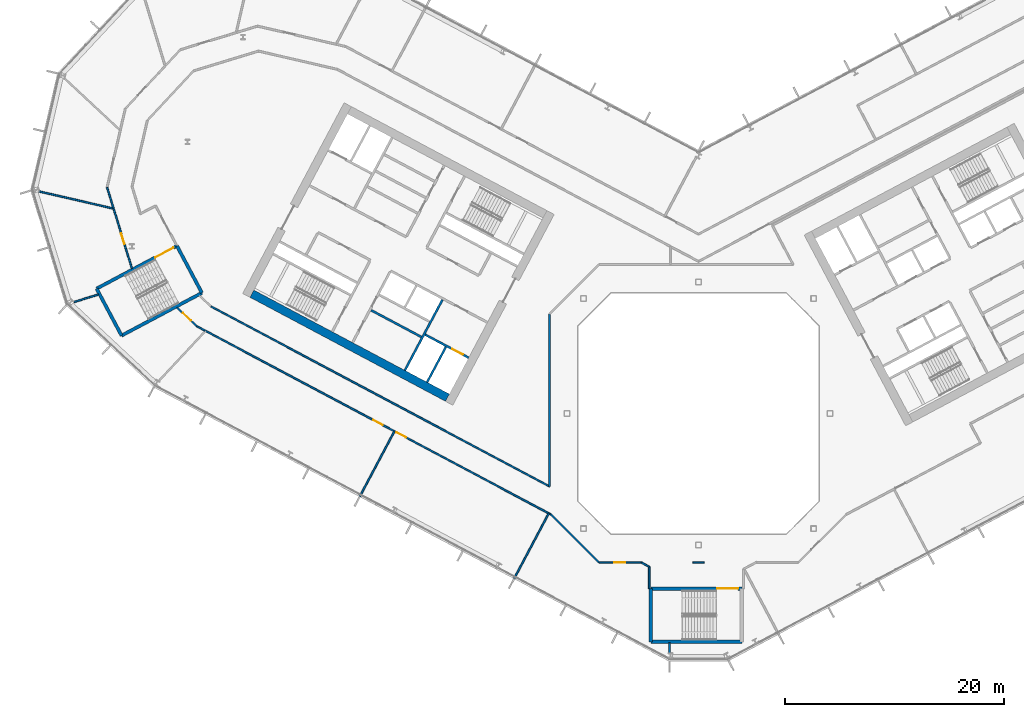
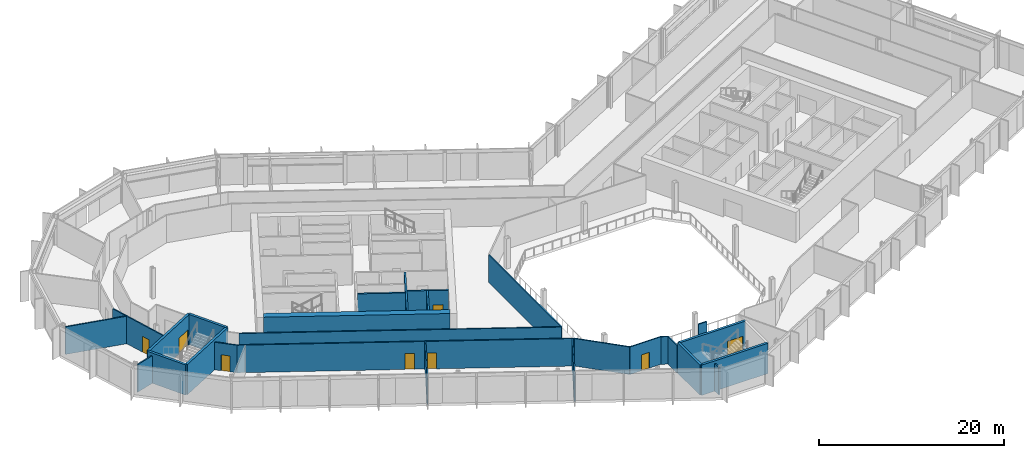
# One storey, part 13 of 28: 29 walls, 8 doors, 8 openings.
"""IFC4 building model written with IfcOpenShell, lengths in metres."""

from ifc_helpers import new_model, si_unit, direction, frame, frame_2d, origin, place, context, subcontext, project, spatial, rectangle, extrude, material, layer, layer_set, type_object, element, fill, save


model = new_model("IFC4")

# Units and contexts
model_context = context("Model", 3, precision=1e-05, world=origin(), true_north=direction((0.0, 1.0)))
body_context = subcontext(model_context, "Body", "Model", "MODEL_VIEW")
ifc_project = project(units=[si_unit("LENGTHUNIT", "METRE"), si_unit("AREAUNIT", "SQUARE_METRE"), si_unit("VOLUMEUNIT", "CUBIC_METRE"), si_unit("PLANEANGLEUNIT", "RADIAN"), si_unit("MASSUNIT", "GRAM", prefix="KILO")], contexts=[model_context])

# Site, building, storey
site_placement = place(None, origin())
site = spatial("IfcSite", under=ifc_project, at=site_placement, CompositionType="ELEMENT")
building_placement = place(site_placement, origin())
building = spatial("IfcBuilding", under=site, at=building_placement, Name="Cormorant Relay Tower", CompositionType="ELEMENT")
storey_placement = place(building_placement, frame((0.0, 0.0, 162.199951171875)))
storey = spatial("IfcBuildingStorey", under=building, at=storey_placement, Name="L34", CompositionType="ELEMENT", Elevation=162.199951171875)

# Walls
ifc_material_1 = material(Name="Concrete 40 MPa", Category="concrete")
ifc_layer_1 = layer(ifc_material_1, 0.199951171875)
ifc_layer_set_1 = layer_set([ifc_layer_1], Name="Core internal wall 200")
wall_type_1 = type_object("IfcWallType", Name="Core internal wall 200", PredefinedType="SOLIDWALL", material=ifc_layer_set_1)
wall_1_placement = place(storey_placement, frame((-25.279541015625, 6.985595703125, 0.0), z_axis=(0.0, 0.0, 1.0), x_axis=(-0.882934506056, 0.469496174655, 0.0)))
element("IfcWall", 1, at=wall_1_placement, inside=storey, type_object=wall_type_1, Name="L34 core A shaft and room wall", PredefinedType="SOLIDWALL", context=body_context, shape_type="SweptSolid", body=[
    extrude(rectangle(XDim=5.199951171875, YDim=0.199951171875, at=frame_2d((2.60009765625, 0.0))), origin(), (0.0, 0.0, 1.0), 4.0),
])
ifc_material_2 = material(Name="Concrete 50 MPa", Category="concrete")
ifc_layer_2 = layer(ifc_material_2, 0.199951171875)
ifc_layer_set_2 = layer_set([ifc_layer_2], Name="Core shaft wall 200")
wall_type_2 = type_object("IfcWallType", Name="Core shaft wall 200", PredefinedType="SHEAR", material=ifc_layer_set_2)
wall_2_placement = place(storey_placement, frame((-23.04296875, 6.07958984375, 0.0), z_axis=(0.0, 0.0, 1.0), x_axis=(-0.469494272526, -0.882935517501, 0.0)))
element("IfcWall", 2, at=wall_2_placement, inside=storey, type_object=wall_type_2, Name="L34 core A shaft wall", PredefinedType="SHEAR", context=body_context, shape_type="SweptSolid", body=[
    extrude(rectangle(XDim=3.64990234375, YDim=0.199951171875, at=frame_2d((1.824951171875, 0.0))), origin(), (0.0, 0.0, 1.0), 4.0),
])
wall_3_placement = place(storey_placement, frame((-23.360107421875, 10.38232421875, 0.0), z_axis=(0.0, 0.0, 1.0), x_axis=(-0.469480409012, -0.88294288918, 0.0)))
element("IfcWall", 3, at=wall_3_placement, inside=storey, type_object=wall_type_2, Name="L34 core A shaft wall", PredefinedType="SHEAR", context=body_context, shape_type="SweptSolid", body=[
    extrude(rectangle(XDim=7.300048828125, YDim=0.199951171875, at=frame_2d((3.64990234375, 0.0))), origin(), (0.0, 0.0, 1.0), 4.0),
])

# Wall, opening, door
wall_4_placement = place(storey_placement, frame((-20.96533203125, 5.088134765625, 0.0), z_axis=(0.0, 0.0, 1.0), x_axis=(-0.882925986334, 0.469512196493, 0.0)))
wall_4 = element("IfcWall", 4, at=wall_4_placement, inside=storey, type_object=wall_type_2, Name="L34 core A shaft wall", PredefinedType="SHEAR", context=body_context, shape_type="SweptSolid", body=[
    extrude(rectangle(XDim=4.5, YDim=0.199951171875, at=frame_2d((2.25, 0.0))), origin(), (0.0, 0.0, 1.0), 4.0),
])
opening_1_placement = place(wall_4_placement, frame((0.60009765625, 0.0, 0.0)))
opening_1 = element("IfcOpeningElement", 5, at=opening_1_placement, cuts=wall_4, Name="Opening LD1-043", PredefinedType="OPENING", context=body_context, shape_type="SweptSolid", body=[
    extrude(rectangle(XDim=1.10009765625, YDim=2.10009765625, at=frame_2d((0.550048828125, 1.050048828125))), frame((0.0, 0.10986328125, 0.0), z_axis=(0.0, -1.0, 0.0), x_axis=(1.0, 0.0, 0.0)), (0.0, 0.0, 1.0), 0.219970703125),
])
ifc_material_3 = material(Name="Stainless steel 316", Category="steel")
door_type_1 = type_object("IfcDoorType", Name="Lift landing door 1100x2100", OperationType="DOUBLE_DOOR_SLIDING", PredefinedType="DOOR", material=ifc_material_3)
door_1_placement = place(opening_1_placement, origin())
door_1 = element("IfcDoor", 6, at=door_1_placement, inside=storey, type_object=door_type_1, Name="FF1 landing door", OperationType="DOUBLE_DOOR_SLIDING", OverallHeight=2.10009765625, OverallWidth=1.10009765625, PredefinedType="DOOR", context=body_context, shape_type="SweptSolid", body=[
    extrude(rectangle(XDim=1.10009765625, YDim=2.10009765625, at=frame_2d((0.550048828125, 1.050048828125))), frame((0.0, 0.02490234375, 0.0), z_axis=(0.0, -1.0, 0.0), x_axis=(1.0, 0.0, 0.0)), (0.0, 0.0, 1.0), 0.050048828125),
])
fill(opening_1, door_1)

# Walls
ifc_material_4 = material(Name="Concrete 60 MPa", Category="concrete")
ifc_layer_3 = layer(ifc_material_4, 0.75)
ifc_layer_set_3 = layer_set([ifc_layer_3], Name="Core wall 750")
wall_type_3 = type_object("IfcWallType", Name="Core wall 750", PredefinedType="SHEAR", material=ifc_layer_set_3)
wall_5_placement = place(storey_placement, frame((-22.90185546875, 1.446044921875, 0.0), z_axis=(0.0, 0.0, 1.0), x_axis=(-0.88294509198, 0.469476266226, 0.0)))
element("IfcWall", 7, at=wall_5_placement, inside=storey, type_object=wall_type_3, Name="L34 core A wall", PredefinedType="SHEAR", context=body_context, shape_type="SweptSolid", body=[
    extrude(rectangle(XDim=20.199951171875, YDim=0.75, at=frame_2d((10.10009765625, 0.0))), origin(), (0.0, 0.0, 1.0), 4.0),
])
ifc_material_5 = material(Name="Gypsum board fire partition")
ifc_layer_4 = layer(ifc_material_5, 0.14990234375)
ifc_layer_set_4 = layer_set([ifc_layer_4], Name="Corridor partition 150 EI 60")
wall_type_4 = type_object("IfcWallType", Name="Corridor partition 150 EI 60", PredefinedType="PARTITIONING", material=ifc_layer_set_4)
wall_6_placement = place(storey_placement, frame((-53.943115234375, 20.6298828125, 0.0), z_axis=(0.0, 0.0, 1.0), x_axis=(0.292550297048, -0.956250136574, 0.0)))
element("IfcWall", 8, at=wall_6_placement, inside=storey, type_object=wall_type_4, Name="wall/L34/part/005", PredefinedType="PARTITIONING", context=body_context, shape_type="SweptSolid", body=[
    extrude(rectangle(XDim=2.000244140625, YDim=0.14990234375, at=frame_2d((1.0, 0.0))), origin(), (0.0, 0.0, 1.0), 3.64013671875),
])

# Wall, opening, door
wall_7_placement = place(storey_placement, frame((-51.677978515625, 13.221923828125, 0.0), z_axis=(0.0, 0.0, 1.0), x_axis=(-0.292356699481, 0.956309343397, 0.0)))
wall_7 = element("IfcWall", 9, at=wall_7_placement, inside=storey, type_object=wall_type_4, Name="wall/L34/part/006", PredefinedType="PARTITIONING", context=body_context, shape_type="SweptSolid", body=[
    extrude(rectangle(XDim=5.74609375, YDim=0.14990234375, at=frame_2d((2.873046875, 0.0))), origin(), (0.0, 0.0, 1.0), 3.64013671875),
])
opening_2_placement = place(wall_7_placement, frame((2.34912109375, 0.0, 0.0)))
opening_2 = element("IfcOpeningElement", 10, at=opening_2_placement, cuts=wall_7, Name="Opening DS-058", PredefinedType="OPENING", context=body_context, shape_type="SweptSolid", body=[
    extrude(rectangle(XDim=1.0, YDim=2.10009765625, at=frame_2d((0.5, 1.050048828125))), frame((0.0, 0.0849609375, 0.0), z_axis=(0.0, -1.0, 0.0), x_axis=(1.0, 0.0, 0.0)), (0.0, 0.0, 1.0), 0.169921875),
])
ifc_material_6 = material(Name="Timber door leaf", Category="wood")
door_type_2 = type_object("IfcDoorType", Name="Suite door 1000x2100", OperationType="SINGLE_SWING_LEFT", PredefinedType="DOOR", material=ifc_material_6)
door_2_placement = place(opening_2_placement, origin())
door_2 = element("IfcDoor", 11, at=door_2_placement, inside=storey, type_object=door_type_2, Name="door/L34/016", OperationType="SINGLE_SWING_LEFT", OverallHeight=2.10009765625, OverallWidth=1.0, PredefinedType="DOOR", context=body_context, shape_type="SweptSolid", body=[
    extrude(rectangle(XDim=1.0, YDim=2.10009765625, at=frame_2d((0.5, 1.050048828125))), frame((0.0, 0.02490234375, 0.0), z_axis=(0.0, -1.0, 0.0), x_axis=(1.0, 0.0, 0.0)), (0.0, 0.0, 1.0), 0.050048828125),
])
fill(opening_2, door_2)

# Wall
wall_8_placement = place(storey_placement, frame((-45.02001953125, 7.572021484375, 0.0), z_axis=(0.0, 0.0, 1.0), x_axis=(-0.88288015149, 0.46959837958, 0.0)))
element("IfcWall", 12, at=wall_8_placement, inside=storey, type_object=wall_type_4, Name="wall/L34/part/024", PredefinedType="PARTITIONING", context=body_context, shape_type="SweptSolid", body=[
    extrude(rectangle(XDim=0.832275390625, YDim=0.14990234375, at=frame_2d((0.416015625, 0.0))), origin(), (0.0, 0.0, 1.0), 3.64013671875),
])

# Wall, opening, door
wall_9_placement = place(storey_placement, frame((-45.7548828125, 7.962890625, 0.0), z_axis=(0.0, 0.0, 1.0), x_axis=(-0.731175081237, 0.682189856695, 0.0)))
wall_9 = element("IfcWall", 13, at=wall_9_placement, inside=storey, type_object=wall_type_4, Name="wall/L34/part/025", PredefinedType="PARTITIONING", context=body_context, shape_type="SweptSolid", body=[
    extrude(rectangle(XDim=2.5068359375, YDim=0.14990234375, at=frame_2d((1.25341796875, 0.0))), origin(), (0.0, 0.0, 1.0), 3.64013671875),
])
opening_3_placement = place(wall_9_placement, frame((0.75, 0.0, 0.0)))
opening_3 = element("IfcOpeningElement", 14, at=opening_3_placement, cuts=wall_9, Name="Opening DS-059", PredefinedType="OPENING", context=body_context, shape_type="SweptSolid", body=[
    extrude(rectangle(XDim=1.0, YDim=2.10009765625, at=frame_2d((0.5, 1.050048828125))), frame((0.0, 0.0849609375, 0.0), z_axis=(0.0, -1.0, 0.0), x_axis=(1.0, 0.0, 0.0)), (0.0, 0.0, 1.0), 0.169921875),
])
door_3_placement = place(opening_3_placement, origin())
door_3 = element("IfcDoor", 15, at=door_3_placement, inside=storey, type_object=door_type_2, Name="door/L34/017", OperationType="SINGLE_SWING_RIGHT", OverallHeight=2.10009765625, OverallWidth=1.0, PredefinedType="DOOR", context=body_context, shape_type="SweptSolid", body=[
    extrude(rectangle(XDim=1.0, YDim=2.10009765625, at=frame_2d((0.5, 1.050048828125))), frame((0.0, 0.02490234375, 0.0), z_axis=(0.0, -1.0, 0.0), x_axis=(1.0, 0.0, 0.0)), (0.0, 0.0, 1.0), 0.050048828125),
])
fill(opening_3, door_3)

# Walls
wall_10_placement = place(storey_placement, frame((-13.60009765625, 9.076904296875, 0.0), z_axis=(0.0, 0.0, 1.0), x_axis=(0.0, -1.0, 0.0)))
element("IfcWall", 16, at=wall_10_placement, inside=storey, type_object=wall_type_4, Name="wall/L34/part/028", PredefinedType="PARTITIONING", context=body_context, shape_type="SweptSolid", body=[
    extrude(rectangle(XDim=15.719970703125, YDim=0.14990234375, at=frame_2d((7.85986328125, 0.0))), origin(), (0.0, 0.0, 1.0), 3.64013671875),
])
wall_11_placement = place(storey_placement, frame((-13.60009765625, -6.64306640625, 0.0), z_axis=(0.0, 0.0, 1.0), x_axis=(-0.882949199944, 0.469468540287, 0.0)))
element("IfcWall", 17, at=wall_11_placement, inside=storey, type_object=wall_type_4, Name="wall/L34/part/029", PredefinedType="PARTITIONING", context=body_context, shape_type="SweptSolid", body=[
    extrude(rectangle(XDim=34.958984375, YDim=0.14990234375, at=frame_2d((17.4794921875, 0.0))), origin(), (0.0, 0.0, 1.0), 3.64013671875),
])

# Wall, openings, doors
wall_12_placement = place(storey_placement, frame((-13.47705078125, -9.199951171875, 0.0), z_axis=(0.0, 0.0, 1.0), x_axis=(-0.882944359403, 0.469477643981, 0.0)))
wall_12 = element("IfcWall", 18, at=wall_12_placement, inside=storey, type_object=wall_type_4, Name="wall/L34/part/031", PredefinedType="PARTITIONING", context=body_context, shape_type="SweptSolid", body=[
    extrude(rectangle(XDim=35.724853515625, YDim=0.14990234375, at=frame_2d((17.8623046875, 0.0))), origin(), (0.0, 0.0, 1.0), 3.64013671875),
])
opening_4_placement = place(wall_12_placement, frame((17.35009765625, 0.0, 0.0)))
opening_4 = element("IfcOpeningElement", 19, at=opening_4_placement, cuts=wall_12, Name="Opening DS-060", PredefinedType="OPENING", context=body_context, shape_type="SweptSolid", body=[
    extrude(rectangle(XDim=1.0, YDim=2.10009765625, at=frame_2d((0.5, 1.050048828125))), frame((0.0, 0.0849609375, 0.0), z_axis=(0.0, -1.0, 0.0), x_axis=(1.0, 0.0, 0.0)), (0.0, 0.0, 1.0), 0.169921875),
])
opening_5_placement = place(wall_12_placement, frame((14.948974609375, 0.0, 0.0)))
opening_5 = element("IfcOpeningElement", 20, at=opening_5_placement, cuts=wall_12, Name="Opening DS-061", PredefinedType="OPENING", context=body_context, shape_type="SweptSolid", body=[
    extrude(rectangle(XDim=1.0, YDim=2.10009765625, at=frame_2d((0.5, 1.050048828125))), frame((0.0, 0.0849609375, 0.0), z_axis=(0.0, -1.0, 0.0), x_axis=(1.0, 0.0, 0.0)), (0.0, 0.0, 1.0), 0.169921875),
])
door_4_placement = place(opening_4_placement, origin())
door_4 = element("IfcDoor", 21, at=door_4_placement, inside=storey, type_object=door_type_2, Name="door/L34/018", OperationType="SINGLE_SWING_LEFT", OverallHeight=2.10009765625, OverallWidth=1.0, PredefinedType="DOOR", context=body_context, shape_type="SweptSolid", body=[
    extrude(rectangle(XDim=1.0, YDim=2.10009765625, at=frame_2d((0.5, 1.050048828125))), frame((0.0, 0.02490234375, 0.0), z_axis=(0.0, -1.0, 0.0), x_axis=(1.0, 0.0, 0.0)), (0.0, 0.0, 1.0), 0.050048828125),
])
fill(opening_4, door_4)
door_5_placement = place(opening_5_placement, origin())
door_5 = element("IfcDoor", 22, at=door_5_placement, inside=storey, type_object=door_type_2, Name="door/L34/019", OperationType="SINGLE_SWING_RIGHT", OverallHeight=2.10009765625, OverallWidth=1.0, PredefinedType="DOOR", context=body_context, shape_type="SweptSolid", body=[
    extrude(rectangle(XDim=1.0, YDim=2.10009765625, at=frame_2d((0.5, 1.050048828125))), frame((0.0, 0.02490234375, 0.0), z_axis=(0.0, -1.0, 0.0), x_axis=(1.0, 0.0, 0.0)), (0.0, 0.0, 1.0), 0.050048828125),
])
fill(opening_5, door_5)

# Wall, opening, door
wall_13_placement = place(storey_placement, frame((-5.15087890625, -13.60009765625, 0.0), z_axis=(0.0, 0.0, 1.0), x_axis=(-1.0, 0.0, 0.0)))
wall_13 = element("IfcWall", 23, at=wall_13_placement, inside=storey, type_object=wall_type_4, Name="wall/L34/part/045", PredefinedType="PARTITIONING", context=body_context, shape_type="SweptSolid", body=[
    extrude(rectangle(XDim=3.926025390625, YDim=0.14990234375, at=frame_2d((1.962890625, 0.0))), origin(), (0.0, 0.0, 1.0), 3.64013671875),
])
opening_6_placement = place(wall_13_placement, frame((1.5390625, 0.0, 0.0)))
opening_6 = element("IfcOpeningElement", 24, at=opening_6_placement, cuts=wall_13, Name="Opening DS-062", PredefinedType="OPENING", context=body_context, shape_type="SweptSolid", body=[
    extrude(rectangle(XDim=1.0, YDim=2.10009765625, at=frame_2d((0.5, 1.050048828125))), frame((0.0, 0.0849609375, 0.0), z_axis=(0.0, -1.0, 0.0), x_axis=(1.0, 0.0, 0.0)), (0.0, 0.0, 1.0), 0.169921875),
])
door_6_placement = place(opening_6_placement, origin())
door_6 = element("IfcDoor", 25, at=door_6_placement, inside=storey, type_object=door_type_2, Name="door/L34/020", OperationType="SINGLE_SWING_LEFT", OverallHeight=2.10009765625, OverallWidth=1.0, PredefinedType="DOOR", context=body_context, shape_type="SweptSolid", body=[
    extrude(rectangle(XDim=1.0, YDim=2.10009765625, at=frame_2d((0.5, 1.050048828125))), frame((0.0, 0.02490234375, 0.0), z_axis=(0.0, -1.0, 0.0), x_axis=(1.0, 0.0, 0.0)), (0.0, 0.0, 1.0), 0.050048828125),
])
fill(opening_6, door_6)

# Walls
wall_14_placement = place(storey_placement, frame((-9.076904296875, -13.60009765625, 0.0), z_axis=(0.0, 0.0, 1.0), x_axis=(-0.707106781187, 0.707106781187, 0.0)))
element("IfcWall", 26, at=wall_14_placement, inside=storey, type_object=wall_type_4, Name="wall/L34/part/046", PredefinedType="PARTITIONING", context=body_context, shape_type="SweptSolid", body=[
    extrude(rectangle(XDim=6.22265625, YDim=0.14990234375, at=frame_2d((3.111328125, 0.0))), origin(), (0.0, 0.0, 1.0), 3.64013671875),
])
wall_15_placement = place(storey_placement, frame((-4.5, -13.972900390625, 0.0), z_axis=(0.0, 0.0, 1.0), x_axis=(-0.882888665287, 0.469582372655, 0.0)))
element("IfcWall", 27, at=wall_15_placement, inside=storey, type_object=wall_type_4, Name="wall/L34/part/047", PredefinedType="PARTITIONING", context=body_context, shape_type="SweptSolid", body=[
    extrude(rectangle(XDim=0.7939453125, YDim=0.14990234375, at=frame_2d((0.39697265625, 0.0))), origin(), (0.0, 0.0, 1.0), 3.64013671875),
])
wall_16_placement = place(storey_placement, frame((-4.5, -13.972900390625, 0.0), z_axis=(0.0, 0.0, 1.0), x_axis=(0.0, -1.0, 0.0)))
element("IfcWall", 28, at=wall_16_placement, inside=storey, type_object=wall_type_4, Name="wall/L34/part/048", PredefinedType="PARTITIONING", context=body_context, shape_type="SweptSolid", body=[
    extrude(rectangle(XDim=2.002197265625, YDim=0.14990234375, at=frame_2d((1.0009765625, 0.0))), origin(), (0.0, 0.0, 1.0), 3.64013671875),
])
wall_17_placement = place(storey_placement, frame((0.514892578125, -13.60009765625, 0.0), z_axis=(0.0, 0.0, 1.0), x_axis=(-1.0, 0.0, 0.0)))
element("IfcWall", 29, at=wall_17_placement, inside=storey, type_object=wall_type_4, Name="wall/L34/part/084", PredefinedType="PARTITIONING", context=body_context, shape_type="SweptSolid", body=[
    extrude(rectangle(XDim=1.02978515625, YDim=0.14990234375, at=frame_2d((0.514892578125, 0.0))), origin(), (0.0, 0.0, 1.0), 3.64013671875),
])
ifc_material_7 = material(Name="Concrete 50 MPa", Category="concrete")
ifc_layer_5 = layer(ifc_material_7, 0.300048828125)
ifc_layer_set_5 = layer_set([ifc_layer_5], Name="Remote stair wall 300")
wall_type_5 = type_object("IfcWallType", Name="Remote stair wall 300", PredefinedType="SHEAR", material=ifc_layer_set_5)
wall_18_placement = place(storey_placement, frame((3.949951171875, -20.824951171875, 0.0), z_axis=(0.0, 0.0, 1.0), x_axis=(-1.0, 0.0, 0.0)))
element("IfcWall", 30, at=wall_18_placement, inside=storey, type_object=wall_type_5, Name="L34 exit stair RK1 wall", PredefinedType="SHEAR", context=body_context, shape_type="SweptSolid", body=[
    extrude(rectangle(XDim=8.300048828125, YDim=0.300048828125, at=frame_2d((4.14990234375, 0.0))), origin(), (0.0, 0.0, 1.0), 4.0),
])
wall_19_placement = place(storey_placement, frame((-4.35009765625, -20.824951171875, 0.0), z_axis=(0.0, 0.0, 1.0), x_axis=(0.0, 1.0, 0.0)))
element("IfcWall", 31, at=wall_19_placement, inside=storey, type_object=wall_type_5, Name="L34 exit stair RK1 wall", PredefinedType="SHEAR", context=body_context, shape_type="SweptSolid", body=[
    extrude(rectangle(XDim=4.849853515625, YDim=0.300048828125, at=frame_2d((2.4248046875, 0.0))), origin(), (0.0, 0.0, 1.0), 4.0),
])

# Wall, opening, door
wall_20_placement = place(storey_placement, frame((-4.35009765625, -15.97509765625, 0.0), z_axis=(0.0, 0.0, 1.0), x_axis=(1.0, 0.0, 0.0)))
wall_20 = element("IfcWall", 32, at=wall_20_placement, inside=storey, type_object=wall_type_5, Name="L34 exit stair RK1 wall", PredefinedType="SHEAR", context=body_context, shape_type="SweptSolid", body=[
    extrude(rectangle(XDim=8.300048828125, YDim=0.300048828125, at=frame_2d((4.14990234375, 0.0))), origin(), (0.0, 0.0, 1.0), 4.0),
])
opening_7_placement = place(wall_20_placement, frame((6.050048828125, 0.0, 0.0)))
opening_7 = element("IfcOpeningElement", 33, at=opening_7_placement, cuts=wall_20, Name="Opening CDE-012", PredefinedType="OPENING", context=body_context, shape_type="SweptSolid", body=[
    extrude(rectangle(XDim=1.89990234375, YDim=2.10009765625, at=frame_2d((0.949951171875, 1.050048828125))), frame((0.0, 0.159912109375, 0.0), z_axis=(0.0, -1.0, 0.0), x_axis=(1.0, 0.0, 0.0)), (0.0, 0.0, 1.0), 0.320068359375),
])
ifc_material_8 = material(Name="Steel fire door", Category="steel")
door_type_3 = type_object("IfcDoorType", Name="Remote stair door 1900x2100", OperationType="DOUBLE_DOOR_SINGLE_SWING", PredefinedType="DOOR", material=ifc_material_8)
door_7_placement = place(opening_7_placement, frame((1.89990234375, 0.0, 0.0), z_axis=(0.0, 0.0, 1.0), x_axis=(-1.0, 0.0, 0.0)))
door_7 = element("IfcDoor", 34, at=door_7_placement, inside=storey, type_object=door_type_3, Name="Exit stair RK1 door", OperationType="DOUBLE_DOOR_SINGLE_SWING", OverallHeight=2.10009765625, OverallWidth=1.89990234375, PredefinedType="DOOR", context=body_context, shape_type="SweptSolid", body=[
    extrude(rectangle(XDim=1.89990234375, YDim=2.10009765625, at=frame_2d((0.949951171875, 1.050048828125))), frame((0.0, 0.02490234375, 0.0), z_axis=(0.0, -1.0, 0.0), x_axis=(1.0, 0.0, 0.0)), (0.0, 0.0, 1.0), 0.050048828125),
])
fill(opening_7, door_7)

# Walls
wall_21_placement = place(storey_placement, frame((-47.57421875, 15.28955078125, 0.0), z_axis=(0.0, 0.0, 1.0), x_axis=(0.469443498566, -0.882962514297, 0.0)))
element("IfcWall", 35, at=wall_21_placement, inside=storey, type_object=wall_type_5, Name="L34 exit stair RP1 wall", PredefinedType="SHEAR", context=body_context, shape_type="SweptSolid", body=[
    extrude(rectangle(XDim=4.85009765625, YDim=0.300048828125, at=frame_2d((2.425048828125, 0.0))), origin(), (0.0, 0.0, 1.0), 4.0),
])
wall_22_placement = place(storey_placement, frame((-45.29736328125, 11.007080078125, 0.0), z_axis=(0.0, 0.0, 1.0), x_axis=(-0.882951519127, -0.469464178475, 0.0)))
element("IfcWall", 36, at=wall_22_placement, inside=storey, type_object=wall_type_5, Name="L34 exit stair RP1 wall", PredefinedType="SHEAR", context=body_context, shape_type="SweptSolid", body=[
    extrude(rectangle(XDim=8.2998046875, YDim=0.300048828125, at=frame_2d((4.14990234375, 0.0))), origin(), (0.0, 0.0, 1.0), 4.0),
])
wall_23_placement = place(storey_placement, frame((-52.625732421875, 7.110595703125, 0.0), z_axis=(0.0, 0.0, 1.0), x_axis=(-0.469464364128, 0.882951420416, 0.0)))
element("IfcWall", 37, at=wall_23_placement, inside=storey, type_object=wall_type_5, Name="L34 exit stair RP1 wall", PredefinedType="SHEAR", context=body_context, shape_type="SweptSolid", body=[
    extrude(rectangle(XDim=4.849853515625, YDim=0.300048828125, at=frame_2d((2.4248046875, 0.0))), origin(), (0.0, 0.0, 1.0), 4.0),
])

# Wall, opening, door
wall_24_placement = place(storey_placement, frame((-54.902587890625, 11.392822265625, 0.0), z_axis=(0.0, 0.0, 1.0), x_axis=(0.882939326045, 0.469487110071, 0.0)))
wall_24 = element("IfcWall", 38, at=wall_24_placement, inside=storey, type_object=wall_type_5, Name="L34 exit stair RP1 wall", PredefinedType="SHEAR", context=body_context, shape_type="SweptSolid", body=[
    extrude(rectangle(XDim=8.300048828125, YDim=0.300048828125, at=frame_2d((4.14990234375, 0.0))), origin(), (0.0, 0.0, 1.0), 4.0),
])
opening_8_placement = place(wall_24_placement, frame((6.050048828125, 0.0, 0.0)))
opening_8 = element("IfcOpeningElement", 39, at=opening_8_placement, cuts=wall_24, Name="Opening CDE-013", PredefinedType="OPENING", context=body_context, shape_type="SweptSolid", body=[
    extrude(rectangle(XDim=1.89990234375, YDim=2.10009765625, at=frame_2d((0.949951171875, 1.050048828125))), frame((0.0, 0.159912109375, 0.0), z_axis=(0.0, -1.0, 0.0), x_axis=(1.0, 0.0, 0.0)), (0.0, 0.0, 1.0), 0.320068359375),
])
door_8_placement = place(opening_8_placement, frame((1.89990234375, 0.0, 0.0), z_axis=(0.0, 0.0, 1.0), x_axis=(-1.0, 0.0, 0.0)))
door_8 = element("IfcDoor", 40, at=door_8_placement, inside=storey, type_object=door_type_3, Name="Exit stair RP1 door", OperationType="DOUBLE_DOOR_SINGLE_SWING", OverallHeight=2.10009765625, OverallWidth=1.89990234375, PredefinedType="DOOR", context=body_context, shape_type="SweptSolid", body=[
    extrude(rectangle(XDim=1.89990234375, YDim=2.10009765625, at=frame_2d((0.949951171875, 1.050048828125))), frame((0.0, 0.02490234375, 0.0), z_axis=(0.0, -1.0, 0.0), x_axis=(1.0, 0.0, 0.0)), (0.0, 0.0, 1.0), 0.050048828125),
])
fill(opening_8, door_8)

# Walls
ifc_material_9 = material(Name="Gypsum board partition")
ifc_layer_6 = layer(ifc_material_9, 0.14990234375)
ifc_layer_set_6 = layer_set([ifc_layer_6], Name="Tenant partition 150")
wall_type_6 = type_object("IfcWallType", Name="Tenant partition 150", PredefinedType="PARTITIONING", material=ifc_layer_set_6)
wall_25_placement = place(storey_placement, frame((-53.35009765625, 18.69189453125, 0.0), z_axis=(0.0, 0.0, 1.0), x_axis=(-0.974352209791, 0.225028378824, 0.0)))
element("IfcWall", 41, at=wall_25_placement, inside=storey, type_object=wall_type_6, Name="wall/L34/part/001", PredefinedType="PARTITIONING", context=body_context, shape_type="SweptSolid", body=[
    extrude(rectangle(XDim=6.968505859375, YDim=0.14990234375, at=frame_2d((3.484375, 0.0))), origin(), (0.0, 0.0, 1.0), 3.64013671875),
])
wall_26_placement = place(storey_placement, frame((-54.73193359375, 10.85693359375, 0.0), z_axis=(0.0, 0.0, 1.0), x_axis=(-0.956196980242, -0.292723991119, 0.0)))
element("IfcWall", 42, at=wall_26_placement, inside=storey, type_object=wall_type_6, Name="wall/L34/part/003", PredefinedType="PARTITIONING", context=body_context, shape_type="SweptSolid", body=[
    extrude(rectangle(XDim=2.343505859375, YDim=0.14990234375, at=frame_2d((1.171875, 0.0))), origin(), (0.0, 0.0, 1.0), 3.64013671875),
])
wall_27_placement = place(storey_placement, frame((-27.739013671875, -1.615966796875, 0.0), z_axis=(0.0, 0.0, 1.0), x_axis=(-0.469581783496, -0.882888978643, 0.0)))
element("IfcWall", 43, at=wall_27_placement, inside=storey, type_object=wall_type_6, Name="wall/L34/part/012", PredefinedType="PARTITIONING", context=body_context, shape_type="SweptSolid", body=[
    extrude(rectangle(XDim=6.75048828125, YDim=0.14990234375, at=frame_2d((3.375244140625, 0.0))), origin(), (0.0, 0.0, 1.0), 3.64013671875),
])
wall_28_placement = place(storey_placement, frame((-13.656982421875, -9.10400390625, 0.0), z_axis=(0.0, 0.0, 1.0), x_axis=(-0.469469006851, -0.882948951869, 0.0)))
element("IfcWall", 44, at=wall_28_placement, inside=storey, type_object=wall_type_6, Name="wall/L34/part/042", PredefinedType="PARTITIONING", context=body_context, shape_type="SweptSolid", body=[
    extrude(rectangle(XDim=6.75, YDim=0.14990234375, at=frame_2d((3.375, 0.0))), origin(), (0.0, 0.0, 1.0), 3.64013671875),
])
wall_29_placement = place(storey_placement, frame((-2.64892578125, -20.925048828125, 0.0), z_axis=(0.0, 0.0, 1.0), x_axis=(0.0, -1.0, 0.0)))
element("IfcWall", 45, at=wall_29_placement, inside=storey, type_object=wall_type_6, Name="wall/L34/part/049", PredefinedType="PARTITIONING", context=body_context, shape_type="SweptSolid", body=[
    extrude(rectangle(XDim=0.90283203125, YDim=0.14990234375, at=frame_2d((0.451416015625, 0.0))), origin(), (0.0, 0.0, 1.0), 3.64013671875),
])

save(model, "model.ifc")
